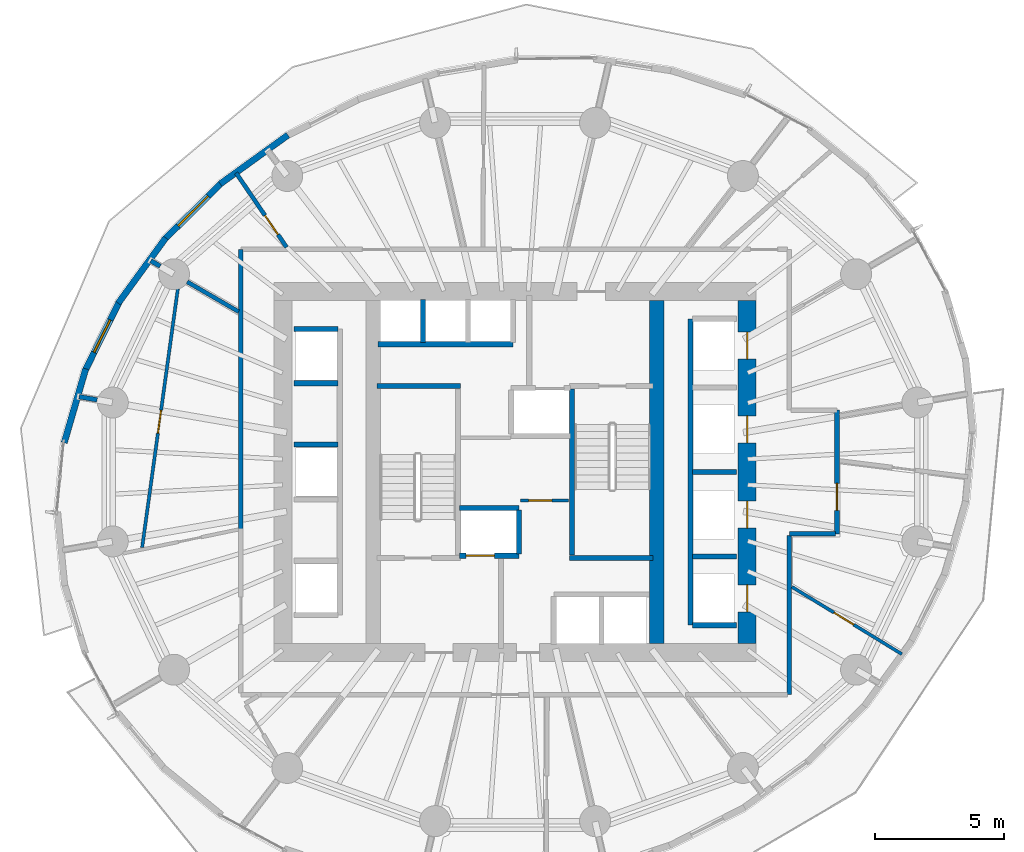
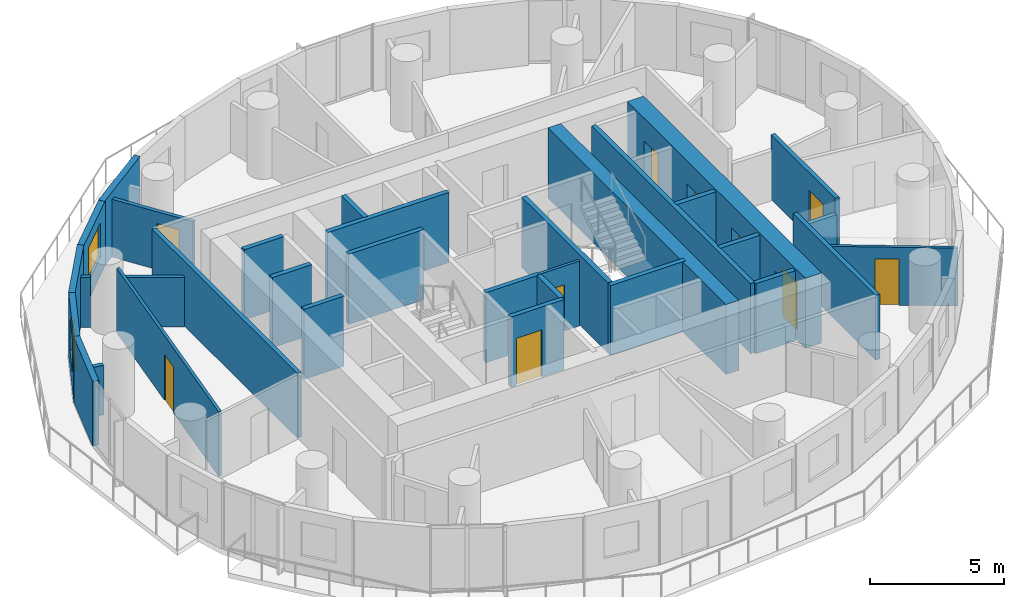
# One storey, part 8 of 14: 33 walls, 10 doors, 2 windows, 12 openings.
"""IFC4 building model written with IfcOpenShell, lengths in metres."""

import ifcopenshell
import ifcopenshell.guid

model = None  # the IFC model being written
_history = None  # IfcOwnerHistory: only IFC2X3 demands one
_inside = {}  # id of a spatial element -> (the spatial element, [elements in it])
_under = {}  # id of a project, library or spatial element -> (it, [spatial elements below it])
_declared = {}  # id of a project -> (the project, [libraries it declares])
_typed = {}  # id of a type object -> (the type object, [elements of that type])
_made_of = {}  # id of a material, layer set ... -> (it, [elements and type objects made of it])


def new_model(schema):
    """Start an empty IFC model of exactly this schema.

    Asked for "IFC4X3", IfcOpenShell would pick the latest addendum, in which some entities
    have other attributes; the version numbers below select the first issue.
    IFC2X3 requires an IfcOwnerHistory on every rooted entity: one is made here for all.
    """
    global model, _history
    if schema == "IFC4X3":
        model = ifcopenshell.file(schema_version=(4, 3, 0, 0))
    else:
        model = ifcopenshell.file(schema=schema)
    _inside.clear()
    _under.clear()
    _declared.clear()
    _typed.clear()
    _made_of.clear()
    _history = None
    if model.schema == "IFC2X3":
        org = make("IfcOrganization", Name="unknown")
        user = make(
            "IfcPersonAndOrganization",
            ThePerson=make("IfcPerson", FamilyName="unknown"),
            TheOrganization=org,
        )
        app = make(
            "IfcApplication",
            ApplicationDeveloper=org,
            Version="unknown",
            ApplicationFullName="unknown",
            ApplicationIdentifier="unknown",
        )
        _history = make(
            "IfcOwnerHistory",
            OwningUser=user,
            OwningApplication=app,
            ChangeAction="ADDED",
            CreationDate=0,
        )
    return model


def make(cls, **values):
    """One entity of the class cls with the attributes given. An attribute that is None is left unset."""
    return model.create_entity(
        cls, **{name: value for name, value in values.items() if value is not None}
    )


def rooted(cls, **values):
    """An entity with a GlobalId (a new one), such as an element, a storey or a relation."""
    return make(cls, GlobalId=ifcopenshell.guid.new(), OwnerHistory=_history, **values)


def si_unit(unit_type, name, prefix=None):
    """IfcSIUnit, for example si_unit("LENGTHUNIT", "METRE", prefix="MILLI")."""
    return make("IfcSIUnit", UnitType=unit_type, Prefix=prefix, Name=name)


def assignment(units):
    """IfcUnitAssignment: the units of a project."""
    return None if units is None else make("IfcUnitAssignment", Units=units)


def point(xyz):
    """IfcCartesianPoint."""
    return None if xyz is None else make("IfcCartesianPoint", Coordinates=xyz)


def direction(xyz):
    """IfcDirection."""
    return None if xyz is None else make("IfcDirection", DirectionRatios=xyz)


def frame(location, z_axis=None, x_axis=None):
    """IfcAxis2Placement3D, a coordinate frame: its origin and axes. An axis left out is left unset."""
    return make(
        "IfcAxis2Placement3D",
        Location=point(location),
        Axis=direction(z_axis),
        RefDirection=direction(x_axis),
    )


def frame_2d(location, x_axis=None):
    """IfcAxis2Placement2D, a coordinate frame in the plane: its origin and x axis."""
    return make(
        "IfcAxis2Placement2D", Location=point(location), RefDirection=direction(x_axis)
    )


def origin():
    """The frame at (0, 0, 0) with its axes left unset."""
    return frame((0.0, 0.0, 0.0))


def place(relative_to, where):
    """IfcLocalPlacement: puts the frame where relative to a parent placement (None: the world)."""
    return make(
        "IfcLocalPlacement", PlacementRelTo=relative_to, RelativePlacement=where
    )


def context(
    kind, dimensions, precision=None, world=None, true_north=None, identifier=None
):
    """IfcGeometricRepresentationContext, for example the 3D "Model" context."""
    return make(
        "IfcGeometricRepresentationContext",
        ContextIdentifier=identifier,
        ContextType=kind,
        CoordinateSpaceDimension=dimensions,
        Precision=precision,
        WorldCoordinateSystem=world,
        TrueNorth=true_north,
    )


def subcontext(parent, identifier, kind, view, scale=None):
    """IfcGeometricRepresentationSubContext, for example "Body" below "Model"."""
    return make(
        "IfcGeometricRepresentationSubContext",
        ContextIdentifier=identifier,
        ContextType=kind,
        ParentContext=parent,
        TargetScale=scale,
        TargetView=view,
    )


def project(units=None, contexts=None):
    """IfcProject with its units and contexts."""
    return rooted(
        "IfcProject",
        Name="project",
        RepresentationContexts=contexts,
        UnitsInContext=assignment(units),
    )


def spatial(cls, under=None, at=None, **own):
    """A site, building, storey or space (cls), placed at a placement, below another one or the project."""
    s = rooted(cls, ObjectPlacement=at, **own)
    if under is not None:
        _under.setdefault(under.id(), (under, []))[1].append(s)
    return s


def profile(cls, at=None, kind="AREA", **sizes):
    """A parametric profile (cls). Its sizes go by their IFC names, for example OverallWidth=200.0."""
    return make(cls, ProfileType=kind, Position=at, **sizes)


def rectangle(**sizes):
    """IfcRectangleProfileDef."""
    return profile("IfcRectangleProfileDef", **sizes)


def extrude(swept, where, along, depth):
    """IfcExtrudedAreaSolid: the profile swept, set in the frame where, extruded along a direction by depth."""
    return make(
        "IfcExtrudedAreaSolid",
        SweptArea=swept,
        Position=where,
        ExtrudedDirection=direction(along),
        Depth=depth,
    )


def shape(context_of_items, identifier, shape_type, items):
    """IfcShapeRepresentation: the items that make up one representation, for example the "Body"."""
    return make(
        "IfcShapeRepresentation",
        ContextOfItems=context_of_items,
        RepresentationIdentifier=identifier,
        RepresentationType=shape_type,
        Items=items,
    )


def material(Name=None, Category=None):
    """IfcMaterial."""
    return make("IfcMaterial", Name=Name, Category=Category)


def layer(
    of_material, thickness, ventilated=None, Name=None, Category=None, Priority=None
):
    """IfcMaterialLayer: one layer of a wall or slab, of a material (None: an air gap)."""
    return make(
        "IfcMaterialLayer",
        Material=of_material,
        LayerThickness=thickness,
        IsVentilated=ventilated,
        Name=Name,
        Category=Category,
        Priority=Priority,
    )


def layer_set(layers, Name=None):
    """IfcMaterialLayerSet."""
    return make("IfcMaterialLayerSet", MaterialLayers=layers, LayerSetName=Name)


def made_of(thing, what):
    """Note that an element or type object is made of a material, layer set ...; save() writes the relation."""
    if what is not None:
        _made_of.setdefault(what.id(), (what, []))[1].append(thing)
    return thing


def type_object(cls, material=None, **own):
    """A type object (cls), such as IfcWallType, which elements share."""
    return made_of(rooted(cls, **own), material)


def element(
    cls,
    number,
    at=None,
    inside=None,
    cuts=None,
    type_object=None,
    material=None,
    context=None,
    identifier="Body",
    shape_type=None,
    held_by="IfcProductDefinitionShape",
    body=None,
    shapes=None,
    **own,
):
    """One element of the class cls, such as IfcWall. Its Tag is "e" and its number.

    at: its placement. inside: the storey or other place that contains it. cuts: it is an
    opening in that element (IfcRelVoidsElement). A single representation is given by context,
    identifier, shape_type and body (its items); several are given by shapes. held_by: the class
    of the entity that holds the representations. save() writes the other relations.
    """
    e = rooted(cls, Tag="e%d" % number, ObjectPlacement=at, **own)
    if body is not None:
        shapes = [shape(context, identifier, shape_type, body)]
    if shapes is not None:
        e.Representation = make(held_by, Representations=shapes)
    if inside is not None:
        _inside.setdefault(inside.id(), (inside, []))[1].append(e)
    if cuts is not None:
        rooted(
            "IfcRelVoidsElement", RelatingBuildingElement=cuts, RelatedOpeningElement=e
        )
    if type_object is not None:
        _typed.setdefault(type_object.id(), (type_object, []))[1].append(e)
    return made_of(e, material)


def fill(opening, filler):
    """IfcRelFillsElement: the door or window that sits in an opening."""
    return rooted(
        "IfcRelFillsElement",
        RelatingOpeningElement=opening,
        RelatedBuildingElement=filler,
    )


def aggregate(whole, parts):
    """IfcRelAggregates: a whole, such as a stair, and the parts it consists of."""
    return rooted("IfcRelAggregates", RelatingObject=whole, RelatedObjects=parts)


def save(model, path):
    """Write the relations noted so far, then the file.

    IfcRelAggregates (storeys below a building ...), IfcRelContainedInSpatialStructure (elements
    in a storey), IfcRelDefinesByType, IfcRelAssociatesMaterial and IfcRelDeclares: one each for
    every whole, place, type object, material and project.
    """
    for whole, parts in _under.values():
        aggregate(whole, parts)
    for where, things in _inside.values():
        rooted(
            "IfcRelContainedInSpatialStructure",
            RelatedElements=things,
            RelatingStructure=where,
        )
    for kind, things in _typed.values():
        rooted("IfcRelDefinesByType", RelatedObjects=things, RelatingType=kind)
    for what, things in _made_of.values():
        rooted("IfcRelAssociatesMaterial", RelatedObjects=things, RelatingMaterial=what)
    for by, libraries in _declared.values():
        rooted("IfcRelDeclares", RelatingContext=by, RelatedDefinitions=libraries)
    model.write(path)


model = new_model("IFC4")

# Units and contexts
model_context = context("Model", 3, precision=1e-05, world=origin(), true_north=direction((0.0, 1.0)))
body_context = subcontext(model_context, "Body", "Model", "MODEL_VIEW")
ifc_project = project(units=[si_unit("LENGTHUNIT", "METRE"), si_unit("AREAUNIT", "SQUARE_METRE"), si_unit("VOLUMEUNIT", "CUBIC_METRE"), si_unit("PLANEANGLEUNIT", "RADIAN"), si_unit("MASSUNIT", "GRAM", prefix="KILO")], contexts=[model_context])

# Site, building, storey
site_placement = place(None, origin())
site = spatial("IfcSite", under=ifc_project, at=site_placement, CompositionType="ELEMENT")
building_placement = place(site_placement, origin())
building = spatial("IfcBuilding", under=site, at=building_placement, Name="Veldorim Arch Residences", CompositionType="ELEMENT")
storey_placement = place(building_placement, frame((0.0, 0.0, 99.679931640625)))
storey = spatial("IfcBuildingStorey", under=building, at=storey_placement, Name="L29", CompositionType="ELEMENT", Elevation=99.679931640625)

# Wall, opening, door
ifc_material_1 = material(Name="Acoustic Gypsum Board", Category="gypsum")
ifc_layer_1 = layer(ifc_material_1, 0.125, Name="Acoustic Stud Room Partition Wall 125")
ifc_layer_set_1 = layer_set([ifc_layer_1], Name="Acoustic Gypsum Board")
wall_type_1 = type_object("IfcWallType", Name="Acoustic Stud Room Partition Wall 125", PredefinedType="PARTITIONING", material=ifc_layer_set_1)
wall_1_placement = place(storey_placement, frame((32.219970703125, 22.89990234375, 0.0), z_axis=(0.0, 0.0, 1.0), x_axis=(1.0, 0.0, 0.0)))
wall_1 = element("IfcWall", 1, at=wall_1_placement, inside=storey, type_object=wall_type_1, Name="L29 interior wall WL-CA-L29-2", PredefinedType="PARTITIONING", context=body_context, shape_type="SweptSolid", body=[
    extrude(rectangle(XDim=1.860107421875, YDim=0.125, at=frame_2d((0.93017578125, 0.0))), origin(), (0.0, 0.0, 1.0), 2.955078125),
])
opening_1_placement = place(wall_1_placement, frame((0.31005859375, 0.0, 0.0)))
opening_1 = element("IfcOpeningElement", 2, at=opening_1_placement, cuts=wall_1, Name="Opening DR-SVC", PredefinedType="OPENING", context=body_context, shape_type="SweptSolid", body=[
    extrude(rectangle(XDim=0.89990234375, YDim=2.10009765625, at=frame_2d((0.449951171875, 1.050048828125))), frame((0.0, 0.072509765625, 0.0), z_axis=(0.0, -1.0, 0.0), x_axis=(1.0, 0.0, 0.0)), (0.0, 0.0, 1.0), 0.14501953125),
])
ifc_material_2 = material(Name="Fire-Rated Steel", Category="steel")
door_type_1 = type_object("IfcDoorType", Name="Riser, Shelter & Plant Room Rated Steel Door 900x2100", OperationType="SINGLE_SWING_LEFT", PredefinedType="DOOR", material=ifc_material_2)
door_1_placement = place(opening_1_placement, origin())
door_1 = element("IfcDoor", 3, at=door_1_placement, inside=storey, type_object=door_type_1, Name="L29 interior door DR-L29-CA1", OperationType="SINGLE_SWING_RIGHT", OverallHeight=2.10009765625, OverallWidth=0.89990234375, PredefinedType="DOOR", context=body_context, shape_type="SweptSolid", body=[
    extrude(rectangle(XDim=0.89990234375, YDim=2.10009765625, at=frame_2d((0.449951171875, 1.050048828125))), frame((0.0, 0.02490234375, 0.0), z_axis=(0.0, -1.0, 0.0), x_axis=(1.0, 0.0, 0.0)), (0.0, 0.0, 1.0), 0.050048828125),
])
fill(opening_1, door_1)

wall_2_placement = place(storey_placement, frame((46.994873046875, 16.9404296875, 0.0), z_axis=(0.0, 0.0, 1.0), x_axis=(-0.85322505129, 0.521542914678, 0.0)))
wall_2 = element("IfcWall", 4, at=wall_2_placement, inside=storey, type_object=wall_type_1, Name="L29 interior wall WL-RES-L29-018", PredefinedType="PARTITIONING", context=body_context, shape_type="SweptSolid", body=[
    extrude(rectangle(XDim=4.99560546875, YDim=0.125, at=frame_2d((2.497802734375, 0.0))), origin(), (0.0, 0.0, 1.0), 2.641357421875),
])
opening_2_placement = place(wall_2_placement, frame((2.187744140625, 0.0, 0.0)))
opening_2 = element("IfcOpeningElement", 5, at=opening_2_placement, cuts=wall_2, Name="Opening DR-INT", PredefinedType="OPENING", context=body_context, shape_type="SweptSolid", body=[
    extrude(rectangle(XDim=0.89990234375, YDim=2.10009765625, at=frame_2d((0.449951171875, 1.050048828125))), frame((0.0, 0.072509765625, 0.0), z_axis=(0.0, -1.0, 0.0), x_axis=(1.0, 0.0, 0.0)), (0.0, 0.0, 1.0), 0.14501953125),
])
ifc_material_3 = material(Name="Engineered Timber", Category="wood")
door_type_2 = type_object("IfcDoorType", Name="Apartment Internal Room Timber Door 900x2100", OperationType="SINGLE_SWING_LEFT", PredefinedType="DOOR", material=ifc_material_3)
door_2_placement = place(opening_2_placement, origin())
door_2 = element("IfcDoor", 6, at=door_2_placement, inside=storey, type_object=door_type_2, Name="L29 interior door DR-RES-L29-006", OperationType="SINGLE_SWING_RIGHT", OverallHeight=2.10009765625, OverallWidth=0.89990234375, PredefinedType="DOOR", context=body_context, shape_type="SweptSolid", body=[
    extrude(rectangle(XDim=0.89990234375, YDim=2.10009765625, at=frame_2d((0.449951171875, 1.050048828125))), frame((0.0, 0.02490234375, 0.0), z_axis=(0.0, -1.0, 0.0), x_axis=(1.0, 0.0, 0.0)), (0.0, 0.0, 1.0), 0.050048828125),
])
fill(opening_2, door_2)

wall_3_placement = place(storey_placement, frame((17.542236328125, 21.072509765625, 0.0), z_axis=(0.0, 0.0, 1.0), x_axis=(0.136714950607, 0.99061042912, 0.0)))
wall_3 = element("IfcWall", 7, at=wall_3_placement, inside=storey, type_object=wall_type_1, Name="L29 interior wall WL-RES-L29-032", PredefinedType="PARTITIONING", context=body_context, shape_type="SweptSolid", body=[
    extrude(rectangle(XDim=10.119873046875, YDim=0.125, at=frame_2d((5.06005859375, 0.0))), origin(), (0.0, 0.0, 1.0), 2.955078125),
])
opening_3_placement = place(wall_3_placement, frame((4.469970703125, 0.0, 0.0)))
opening_3 = element("IfcOpeningElement", 8, at=opening_3_placement, cuts=wall_3, Name="Opening DR-INT", PredefinedType="OPENING", context=body_context, shape_type="SweptSolid", body=[
    extrude(rectangle(XDim=0.89990234375, YDim=2.10009765625, at=frame_2d((0.449951171875, 1.050048828125))), frame((0.0, 0.072509765625, 0.0), z_axis=(0.0, -1.0, 0.0), x_axis=(1.0, 0.0, 0.0)), (0.0, 0.0, 1.0), 0.14501953125),
])
door_3_placement = place(opening_3_placement, origin())
door_3 = element("IfcDoor", 9, at=door_3_placement, inside=storey, type_object=door_type_2, Name="L29 interior door DR-RES-L29-019", OperationType="SINGLE_SWING_LEFT", OverallHeight=2.10009765625, OverallWidth=0.89990234375, PredefinedType="DOOR", context=body_context, shape_type="SweptSolid", body=[
    extrude(rectangle(XDim=0.89990234375, YDim=2.10009765625, at=frame_2d((0.449951171875, 1.050048828125))), frame((0.0, 0.02490234375, 0.0), z_axis=(0.0, -1.0, 0.0), x_axis=(1.0, 0.0, 0.0)), (0.0, 0.0, 1.0), 0.050048828125),
])
fill(opening_3, door_3)

# Walls
ifc_material_4 = material(Name="Lightweight Masonry Block & Gypsum", Category="masonry")
ifc_layer_2 = layer(ifc_material_4, 0.179931640625, Name="Compartment & Corridor Fire-Rated Party Wall 180")
ifc_layer_set_2 = layer_set([ifc_layer_2], Name="Lightweight Masonry Block & Gypsum")
wall_type_2 = type_object("IfcWallType", Name="Compartment & Corridor Fire-Rated Party Wall 180", PredefinedType="PARTITIONING", material=ifc_layer_set_2)
wall_4_placement = place(storey_placement, frame((18.243408203125, 31.977783203125, 0.0), z_axis=(0.0, 0.0, 1.0), x_axis=(-0.864926134071, 0.501899175733, 0.0)))
element("IfcWall", 10, at=wall_4_placement, inside=storey, type_object=wall_type_2, Name="L29 interior wall WL-PIER-L29-07", PredefinedType="PARTITIONING", context=body_context, shape_type="SweptSolid", body=[
    extrude(rectangle(XDim=0.423583984375, YDim=0.179931640625, at=frame_2d((0.2119140625, 0.0))), origin(), (0.0, 0.0, 1.0), 2.2607421875),
])
wall_5_placement = place(storey_placement, frame((15.79443359375, 26.797607421875, 0.0), z_axis=(0.0, 0.0, 1.0), x_axis=(-0.985420399327, 0.17013711115, 0.0)))
element("IfcWall", 11, at=wall_5_placement, inside=storey, type_object=wall_type_2, Name="L29 interior wall WL-PIER-L29-08", PredefinedType="PARTITIONING", context=body_context, shape_type="SweptSolid", body=[
    extrude(rectangle(XDim=0.710205078125, YDim=0.179931640625, at=frame_2d((0.35498046875, 0.0))), origin(), (0.0, 0.0, 1.0), 2.2607421875),
])

# Wall, opening, door
wall_6_placement = place(storey_placement, frame((44.47998046875, 26.39990234375, 0.0), z_axis=(0.0, 0.0, 1.0), x_axis=(0.0, -1.0, 0.0)))
wall_6 = element("IfcWall", 12, at=wall_6_placement, inside=storey, type_object=wall_type_2, Name="L29 interior wall WL-RES-L29-002", PredefinedType="PARTITIONING", context=body_context, shape_type="SweptSolid", body=[
    extrude(rectangle(XDim=4.7998046875, YDim=0.179931640625, at=frame_2d((2.39990234375, 0.0))), origin(), (0.0, 0.0, 1.0), 2.955078125),
])
opening_4_placement = place(wall_6_placement, frame((2.839599609375, 0.0, 0.0)))
opening_4 = element("IfcOpeningElement", 13, at=opening_4_placement, cuts=wall_6, Name="Opening DR-FLT", PredefinedType="OPENING", context=body_context, shape_type="SweptSolid", body=[
    extrude(rectangle(XDim=1.050048828125, YDim=2.14990234375, at=frame_2d((0.52490234375, 1.074951171875))), frame((0.0, 0.099853515625, 0.0), z_axis=(0.0, -1.0, 0.0), x_axis=(1.0, 0.0, 0.0)), (0.0, 0.0, 1.0), 0.199951171875),
])
ifc_material_5 = material(Name="Fire-Rated Timber", Category="wood")
door_type_3 = type_object("IfcDoorType", Name="Apartment Entrance Solid-Core Fire Door 1050x2150", OperationType="SINGLE_SWING_LEFT", PredefinedType="DOOR", material=ifc_material_5)
door_4_placement = place(opening_4_placement, origin())
door_4 = element("IfcDoor", 14, at=door_4_placement, inside=storey, type_object=door_type_3, Name="L29 interior door DR-RES-L29-004", OperationType="SINGLE_SWING_RIGHT", OverallHeight=2.14990234375, OverallWidth=1.050048828125, PredefinedType="DOOR", context=body_context, shape_type="SweptSolid", body=[
    extrude(rectangle(XDim=1.050048828125, YDim=2.14990234375, at=frame_2d((0.52490234375, 1.074951171875))), frame((0.0, 0.02490234375, 0.0), z_axis=(0.0, -1.0, 0.0), x_axis=(1.0, 0.0, 0.0)), (0.0, 0.0, 1.0), 0.050048828125),
])
fill(opening_4, door_4)

# Walls
wall_7_placement = place(storey_placement, frame((44.419921875, 21.60009765625, 0.0), z_axis=(0.0, 0.0, 1.0), x_axis=(-1.0, 0.0, 0.0)))
element("IfcWall", 15, at=wall_7_placement, inside=storey, type_object=wall_type_2, Name="L29 interior wall WL-RES-L29-003", PredefinedType="PARTITIONING", context=body_context, shape_type="SweptSolid", body=[
    extrude(rectangle(XDim=1.7900390625, YDim=0.179931640625, at=frame_2d((0.89501953125, 0.0))), origin(), (0.0, 0.0, 1.0), 2.2607421875),
])
wall_8_placement = place(storey_placement, frame((42.6298828125, 21.5400390625, 0.0), z_axis=(0.0, 0.0, 1.0), x_axis=(0.0, -1.0, 0.0)))
element("IfcWall", 16, at=wall_8_placement, inside=storey, type_object=wall_type_2, Name="L29 interior wall WL-RES-L29-004", PredefinedType="PARTITIONING", context=body_context, shape_type="SweptSolid", body=[
    extrude(rectangle(XDim=6.169921875, YDim=0.179931640625, at=frame_2d((3.0849609375, 0.0))), origin(), (0.0, 0.0, 1.0), 2.955078125),
])
wall_9_placement = place(storey_placement, frame((21.3701171875, 21.770751953125, 0.0), z_axis=(0.0, 0.0, 1.0), x_axis=(0.0, 1.0, 0.0)))
element("IfcWall", 17, at=wall_9_placement, inside=storey, type_object=wall_type_2, Name="L29 interior wall WL-RES-L29-010", PredefinedType="PARTITIONING", context=body_context, shape_type="SweptSolid", body=[
    extrude(rectangle(XDim=10.859130859375, YDim=0.179931640625, at=frame_2d((5.4296875, 0.0))), origin(), (0.0, 0.0, 1.0), 2.955078125),
])
ifc_material_6 = material(Name="Concrete C50/60", Category="concrete")
ifc_layer_3 = layer(ifc_material_6, 0.199951171875, Name="Core Stair & Lift Shaft Enclosure Wall 200")
ifc_layer_set_3 = layer_set([ifc_layer_3], Name="Concrete C50/60")
wall_type_3 = type_object("IfcWallType", Name="Core Stair & Lift Shaft Enclosure Wall 200", PredefinedType="SHEAR", material=ifc_layer_set_3)
wall_10_placement = place(storey_placement, frame((26.64990234375, 27.330078125, 0.0), z_axis=(0.0, 0.0, 1.0), x_axis=(1.0, 0.0, 0.0)))
element("IfcWall", 18, at=wall_10_placement, inside=storey, type_object=wall_type_3, Name="L29 shaft wall WL-SHF-L29-ST1-N", PredefinedType="SHEAR", context=body_context, shape_type="SweptSolid", body=[
    extrude(rectangle(XDim=3.239990234375, YDim=0.199951171875, at=frame_2d((1.6201171875, 0.0))), origin(), (0.0, 0.0, 1.0), 3.199951171875),
])
wall_11_placement = place(storey_placement, frame((34.2099609375, 20.780029296875, 0.0), z_axis=(0.0, 0.0, 1.0), x_axis=(0.0, 1.0, 0.0)))
element("IfcWall", 19, at=wall_11_placement, inside=storey, type_object=wall_type_3, Name="L29 shaft wall WL-SHF-L29-ST2-W", PredefinedType="SHEAR", context=body_context, shape_type="SweptSolid", body=[
    extrude(rectangle(XDim=6.43994140625, YDim=0.199951171875, at=frame_2d((3.219970703125, 0.0))), origin(), (0.0, 0.0, 1.0), 3.199951171875),
])
wall_12_placement = place(storey_placement, frame((34.110107421875, 20.669921875, 0.0), z_axis=(0.0, 0.0, 1.0), x_axis=(1.0, 0.0, 0.0)))
element("IfcWall", 20, at=wall_12_placement, inside=storey, type_object=wall_type_3, Name="L29 shaft wall WL-SHF-L29-ST2-S", PredefinedType="SHEAR", context=body_context, shape_type="SweptSolid", body=[
    extrude(rectangle(XDim=3.239990234375, YDim=0.199951171875, at=frame_2d((1.6201171875, 0.0))), origin(), (0.0, 0.0, 1.0), 3.199951171875),
])

# Wall, opening, door
wall_13_placement = place(storey_placement, frame((29.85009765625, 20.75, 0.0), z_axis=(0.0, 0.0, 1.0), x_axis=(1.0, 0.0, 0.0)))
wall_13 = element("IfcWall", 21, at=wall_13_placement, inside=storey, type_object=wall_type_3, Name="L29 shaft wall WL-FL01-L29-S", PredefinedType="SHEAR", context=body_context, shape_type="SweptSolid", body=[
    extrude(rectangle(XDim=2.2998046875, YDim=0.199951171875, at=frame_2d((1.14990234375, 0.0))), origin(), (0.0, 0.0, 1.0), 3.199951171875),
])
opening_5_placement = place(wall_13_placement, frame((0.25, 0.0, 0.0)))
opening_5 = element("IfcOpeningElement", 22, at=opening_5_placement, cuts=wall_13, Name="Opening LD-FF", PredefinedType="OPENING", context=body_context, shape_type="SweptSolid", body=[
    extrude(rectangle(XDim=1.10009765625, YDim=2.14990234375, at=frame_2d((0.550048828125, 1.074951171875))), frame((0.0, 0.10986328125, 0.0), z_axis=(0.0, -1.0, 0.0), x_axis=(1.0, 0.0, 0.0)), (0.0, 0.0, 1.0), 0.219970703125),
])
ifc_material_7 = material(Name="Stainless Steel", Category="steel")
door_type_4 = type_object("IfcDoorType", Name="Firefighting Lift Bi-Parting Sliding Landing Door 1100x2150", OperationType="DOUBLE_DOOR_SLIDING", PredefinedType="DOOR", material=ifc_material_7)
door_5_placement = place(opening_5_placement, origin())
door_5 = element("IfcDoor", 23, at=door_5_placement, inside=storey, type_object=door_type_4, Name="L29 lift landing door LD-L29-FL01", OperationType="DOUBLE_DOOR_SLIDING", OverallHeight=2.14990234375, OverallWidth=1.10009765625, PredefinedType="DOOR", context=body_context, shape_type="SweptSolid", body=[
    extrude(rectangle(XDim=1.10009765625, YDim=2.14990234375, at=frame_2d((0.550048828125, 1.074951171875))), frame((0.0, 0.02490234375, 0.0), z_axis=(0.0, -1.0, 0.0), x_axis=(1.0, 0.0, 0.0)), (0.0, 0.0, 1.0), 0.050048828125),
])
fill(opening_5, door_5)

# Walls
wall_14_placement = place(storey_placement, frame((29.85009765625, 22.60009765625, 0.0), z_axis=(0.0, 0.0, 1.0), x_axis=(1.0, 0.0, 0.0)))
element("IfcWall", 24, at=wall_14_placement, inside=storey, type_object=wall_type_3, Name="L29 shaft wall WL-FL01-L29-N", PredefinedType="SHEAR", context=body_context, shape_type="SweptSolid", body=[
    extrude(rectangle(XDim=2.2998046875, YDim=0.199951171875, at=frame_2d((1.14990234375, 0.0))), origin(), (0.0, 0.0, 1.0), 3.199951171875),
])
wall_15_placement = place(storey_placement, frame((32.14990234375, 20.820068359375, 0.0), z_axis=(0.0, 0.0, 1.0), x_axis=(0.0, 1.0, 0.0)))
element("IfcWall", 25, at=wall_15_placement, inside=storey, type_object=wall_type_3, Name="L29 shaft wall WL-FL01-L29-E", PredefinedType="SHEAR", context=body_context, shape_type="SweptSolid", body=[
    extrude(rectangle(XDim=1.7099609375, YDim=0.199951171875, at=frame_2d((0.85498046875, 0.0))), origin(), (0.0, 0.0, 1.0), 3.199951171875),
])
wall_16_placement = place(storey_placement, frame((38.800048828125, 18.06005859375, 0.0), z_axis=(0.0, 0.0, 1.0), x_axis=(0.0, 1.0, 0.0)))
element("IfcWall", 26, at=wall_16_placement, inside=storey, type_object=wall_type_3, Name="L29 shaft wall WL-B1-L29-W", PredefinedType="SHEAR", context=body_context, shape_type="SweptSolid", body=[
    extrude(rectangle(XDim=11.8798828125, YDim=0.199951171875, at=frame_2d((5.93994140625, 0.0))), origin(), (0.0, 0.0, 1.0), 3.199951171875),
])
for number, where, z_axis, x_axis, name in (
    (27, (38.8701171875, 18.06005859375, 0.0), (0.0, 0.0, 1.0), (1.0, 0.0, 0.0), "L29 shaft wall WL-B1-L29-S"),
    (28, (38.8701171875, 20.72509765625, 0.0), (0.0, 0.0, 1.0), (1.0, 0.0, 0.0), "L29 shaft wall WL-B1-L29-D1"),
    (29, (38.8701171875, 24.0, 0.0), (0.0, 0.0, 1.0), (1.0, 0.0, 0.0), "L29 shaft wall WL-B1-L29-D2"),
    (30, (23.419921875, 29.5400390625, 0.0), (0.0, 0.0, 1.0), (1.0, 0.0, 0.0), "L29 shaft wall WL-B2-L29-N"),
    (31, (23.419921875, 25.06005859375, 0.0), (0.0, 0.0, 1.0), (1.0, 0.0, 0.0), "L29 shaft wall WL-B2-L29-D2A"),
    (32, (23.419921875, 27.43994140625, 0.0), (0.0, 0.0, 1.0), (1.0, 0.0, 0.0), "L29 shaft wall WL-B2-L29-D2B"),
):
    element("IfcWall", number, at=place(storey_placement, frame(where, z_axis=z_axis, x_axis=x_axis)), inside=storey, type_object=wall_type_3, Name=name, PredefinedType="SHEAR", context=body_context, shape_type="SweptSolid", body=[
        extrude(rectangle(XDim=1.7099609375, YDim=0.199951171875, at=frame_2d((0.85498046875, 0.0))), origin(), (0.0, 0.0, 1.0), 3.199951171875),
    ])
wall_17_placement = place(storey_placement, frame((26.679931640625, 28.949951171875, 0.0), z_axis=(0.0, 0.0, 1.0), x_axis=(1.0, 0.0, 0.0)))
element("IfcWall", 33, at=wall_17_placement, inside=storey, type_object=wall_type_3, Name="L29 shaft wall WL-B3-L29-S", PredefinedType="SHEAR", context=body_context, shape_type="SweptSolid", body=[
    extrude(rectangle(XDim=5.239990234375, YDim=0.199951171875, at=frame_2d((2.6201171875, 0.0))), origin(), (0.0, 0.0, 1.0), 3.199951171875),
])
wall_18_placement = place(storey_placement, frame((28.425048828125, 29.02001953125, 0.0), z_axis=(0.0, 0.0, 1.0), x_axis=(0.0, 1.0, 0.0)))
element("IfcWall", 34, at=wall_18_placement, inside=storey, type_object=wall_type_3, Name="L29 shaft wall WL-B3-L29-D1", PredefinedType="SHEAR", context=body_context, shape_type="SweptSolid", body=[
    extrude(rectangle(XDim=1.659912109375, YDim=0.199951171875, at=frame_2d((0.830078125, 0.0))), origin(), (0.0, 0.0, 1.0), 3.199951171875),
])
ifc_material_8 = material(Name="Concrete C60/75", Category="concrete")
ifc_layer_4 = layer(ifc_material_8, 0.56005859375, Name="Internal Core Shear Web Wall 560")
ifc_layer_set_4 = layer_set([ifc_layer_4], Name="Concrete C60/75")
wall_type_4 = type_object("IfcWallType", Name="Internal Core Shear Web Wall 560", PredefinedType="SHEAR", material=ifc_layer_set_4)
wall_19_placement = place(storey_placement, frame((37.5, 17.35009765625, 0.0), z_axis=(0.0, 0.0, 1.0), x_axis=(0.0, 1.0, 0.0)))
element("IfcWall", 35, at=wall_19_placement, inside=storey, type_object=wall_type_4, Name="L29 core east internal shear web", PredefinedType="SHEAR", context=body_context, shape_type="SweptSolid", body=[
    extrude(rectangle(XDim=13.2998046875, YDim=0.56005859375, at=frame_2d((6.64990234375, 0.0))), origin(), (0.0, 0.0, 1.0), 3.199951171875),
])

# Wall, openings, doors
ifc_material_9 = material(Name="Concrete C60/75", Category="concrete")
ifc_layer_5 = layer(ifc_material_9, 0.699951171875, Name="Mid-Lower Central Core Shear Wall 700")
ifc_layer_set_5 = layer_set([ifc_layer_5], Name="Concrete C60/75")
wall_type_5 = type_object("IfcWallType", Name="Mid-Lower Central Core Shear Wall 700", PredefinedType="SHEAR", material=ifc_layer_set_5)
wall_20_placement = place(storey_placement, frame((41.0, 17.35009765625, 0.0), z_axis=(0.0, 0.0, 1.0), x_axis=(0.0, 1.0, 0.0)))
wall_20 = element("IfcWall", 36, at=wall_20_placement, inside=storey, type_object=wall_type_5, Name="L29 central core east shear wall", PredefinedType="SHEAR", context=body_context, shape_type="SweptSolid", body=[
    extrude(rectangle(XDim=13.2998046875, YDim=0.699951171875, at=frame_2d((6.64990234375, 0.0))), origin(), (0.0, 0.0, 1.0), 3.199951171875),
])
opening_6_placement = place(wall_20_placement, frame((1.22509765625, 0.0, 0.0)))
opening_6 = element("IfcOpeningElement", 37, at=opening_6_placement, cuts=wall_20, Name="Opening LD-PS", PredefinedType="OPENING", context=body_context, shape_type="SweptSolid", body=[
    extrude(rectangle(XDim=1.050048828125, YDim=2.14990234375, at=frame_2d((0.52490234375, 1.074951171875))), frame((0.0, 0.35986328125, 0.0), z_axis=(0.0, -1.0, 0.0), x_axis=(1.0, 0.0, 0.0)), (0.0, 0.0, 1.0), 0.719970703125),
])
opening_7_placement = place(wall_20_placement, frame((4.47509765625, 0.0, 0.0)))
opening_7 = element("IfcOpeningElement", 38, at=opening_7_placement, cuts=wall_20, Name="Opening LD-PS", PredefinedType="OPENING", context=body_context, shape_type="SweptSolid", body=[
    extrude(rectangle(XDim=1.050048828125, YDim=2.14990234375, at=frame_2d((0.52490234375, 1.074951171875))), frame((0.0, 0.35986328125, 0.0), z_axis=(0.0, -1.0, 0.0), x_axis=(1.0, 0.0, 0.0)), (0.0, 0.0, 1.0), 0.719970703125),
])
opening_8_placement = place(wall_20_placement, frame((7.77490234375, 0.0, 0.0)))
opening_8 = element("IfcOpeningElement", 39, at=opening_8_placement, cuts=wall_20, Name="Opening LD-PS", PredefinedType="OPENING", context=body_context, shape_type="SweptSolid", body=[
    extrude(rectangle(XDim=1.050048828125, YDim=2.14990234375, at=frame_2d((0.52490234375, 1.074951171875))), frame((0.0, 0.35986328125, 0.0), z_axis=(0.0, -1.0, 0.0), x_axis=(1.0, 0.0, 0.0)), (0.0, 0.0, 1.0), 0.719970703125),
])
opening_9_placement = place(wall_20_placement, frame((11.02490234375, 0.0, 0.0)))
opening_9 = element("IfcOpeningElement", 40, at=opening_9_placement, cuts=wall_20, Name="Opening LD-PS", PredefinedType="OPENING", context=body_context, shape_type="SweptSolid", body=[
    extrude(rectangle(XDim=1.050048828125, YDim=2.14990234375, at=frame_2d((0.52490234375, 1.074951171875))), frame((0.0, 0.35986328125, 0.0), z_axis=(0.0, -1.0, 0.0), x_axis=(1.0, 0.0, 0.0)), (0.0, 0.0, 1.0), 0.719970703125),
])
ifc_material_10 = material(Name="Stainless Steel", Category="steel")
door_type_5 = type_object("IfcDoorType", Name="Passenger Lift Bi-Parting Sliding Landing Door 1050x2150", OperationType="DOUBLE_DOOR_SLIDING", PredefinedType="DOOR", material=ifc_material_10)
door_6_placement = place(opening_6_placement, origin())
door_6 = element("IfcDoor", 41, at=door_6_placement, inside=storey, type_object=door_type_5, Name="L29 lift landing door LD-L29-PL-01", OperationType="DOUBLE_DOOR_SLIDING", OverallHeight=2.14990234375, OverallWidth=1.050048828125, PredefinedType="DOOR", context=body_context, shape_type="SweptSolid", body=[
    extrude(rectangle(XDim=1.050048828125, YDim=2.14990234375, at=frame_2d((0.52490234375, 1.074951171875))), frame((0.0, 0.02490234375, 0.0), z_axis=(0.0, -1.0, 0.0), x_axis=(1.0, 0.0, 0.0)), (0.0, 0.0, 1.0), 0.050048828125),
])
fill(opening_6, door_6)
door_7_placement = place(opening_7_placement, origin())
door_7 = element("IfcDoor", 42, at=door_7_placement, inside=storey, type_object=door_type_5, Name="L29 lift landing door LD-L29-PL-02", OperationType="DOUBLE_DOOR_SLIDING", OverallHeight=2.14990234375, OverallWidth=1.050048828125, PredefinedType="DOOR", context=body_context, shape_type="SweptSolid", body=[
    extrude(rectangle(XDim=1.050048828125, YDim=2.14990234375, at=frame_2d((0.52490234375, 1.074951171875))), frame((0.0, 0.02490234375, 0.0), z_axis=(0.0, -1.0, 0.0), x_axis=(1.0, 0.0, 0.0)), (0.0, 0.0, 1.0), 0.050048828125),
])
fill(opening_7, door_7)
door_8_placement = place(opening_8_placement, origin())
door_8 = element("IfcDoor", 43, at=door_8_placement, inside=storey, type_object=door_type_5, Name="L29 lift landing door LD-L29-PL-03", OperationType="DOUBLE_DOOR_SLIDING", OverallHeight=2.14990234375, OverallWidth=1.050048828125, PredefinedType="DOOR", context=body_context, shape_type="SweptSolid", body=[
    extrude(rectangle(XDim=1.050048828125, YDim=2.14990234375, at=frame_2d((0.52490234375, 1.074951171875))), frame((0.0, 0.02490234375, 0.0), z_axis=(0.0, -1.0, 0.0), x_axis=(1.0, 0.0, 0.0)), (0.0, 0.0, 1.0), 0.050048828125),
])
fill(opening_8, door_8)
door_9_placement = place(opening_9_placement, origin())
door_9 = element("IfcDoor", 44, at=door_9_placement, inside=storey, type_object=door_type_5, Name="L29 lift landing door LD-L29-PL-04", OperationType="DOUBLE_DOOR_SLIDING", OverallHeight=2.14990234375, OverallWidth=1.050048828125, PredefinedType="DOOR", context=body_context, shape_type="SweptSolid", body=[
    extrude(rectangle(XDim=1.050048828125, YDim=2.14990234375, at=frame_2d((0.52490234375, 1.074951171875))), frame((0.0, 0.02490234375, 0.0), z_axis=(0.0, -1.0, 0.0), x_axis=(1.0, 0.0, 0.0)), (0.0, 0.0, 1.0), 0.050048828125),
])
fill(opening_9, door_9)

# Wall
ifc_material_11 = material(Name="Precast concrete C40/50", Category="concrete")
ifc_layer_6 = layer(ifc_material_11, 0.25, Name="Tower Terracotta Spandrel & Pier Wall 250")
ifc_layer_set_6 = layer_set([ifc_layer_6], Name="Precast concrete C40/50")
wall_type_6 = type_object("IfcWallType", Name="Tower Terracotta Spandrel & Pier Wall 250", PredefinedType="SOLIDWALL", material=ifc_layer_set_6)
wall_21_placement = place(storey_placement, frame((20.568359375, 35.171142578125, 0.0), z_axis=(0.0, 0.0, 1.0), x_axis=(0.81131534838, 0.584608762749, 0.0)))
element("IfcWall", 45, at=wall_21_placement, inside=storey, type_object=wall_type_6, Name="L29 terracotta facade wall 11", PredefinedType="SOLIDWALL", context=body_context, shape_type="SweptSolid", body=[
    extrude(rectangle(XDim=3.236083984375, YDim=0.25, at=frame_2d((1.6181640625, 0.0))), origin(), (0.0, 0.0, 1.0), 2.9599609375),
])

# Wall, opening, window
wall_22_placement = place(storey_placement, frame((18.3837890625, 32.995849609375, 0.0), z_axis=(0.0, 0.0, 1.0), x_axis=(0.710540573889, 0.703656232017, 0.0)))
wall_22 = element("IfcWall", 46, at=wall_22_placement, inside=storey, type_object=wall_type_6, Name="L29 terracotta facade wall 12", PredefinedType="SOLIDWALL", context=body_context, shape_type="SweptSolid", body=[
    extrude(rectangle(XDim=3.191650390625, YDim=0.25, at=frame_2d((1.595703125, 0.0))), origin(), (0.0, 0.0, 1.0), 2.9599609375),
])
opening_10_placement = place(wall_22_placement, frame((0.77099609375, 0.0, 0.85009765625)))
opening_10 = element("IfcOpeningElement", 47, at=opening_10_placement, cuts=wall_22, Name="Opening WN-03", PredefinedType="OPENING", context=body_context, shape_type="SweptSolid", body=[
    extrude(rectangle(XDim=1.64990234375, YDim=1.550048828125, at=frame_2d((0.824951171875, 0.77490234375))), frame((0.0, 0.135009765625, 0.0), z_axis=(0.0, -1.0, 0.0), x_axis=(1.0, 0.0, 0.0)), (0.0, 0.0, 1.0), 0.27001953125),
])
ifc_material_12 = material(Name="Laminated Low-E Glass", Category="glass")
window_type_1 = type_object("IfcWindowType", Name="Residential Wide Window 1650x1550", PartitioningType="SINGLE_PANEL", PredefinedType="WINDOW", material=ifc_material_12)
window_1_placement = place(opening_10_placement, origin())
window_1 = element("IfcWindow", 48, at=window_1_placement, inside=storey, type_object=window_type_1, Name="L29 solar-control facade window 12", OverallHeight=1.550048828125, OverallWidth=1.64990234375, PartitioningType="SINGLE_PANEL", PredefinedType="WINDOW", context=body_context, shape_type="SweptSolid", body=[
    extrude(rectangle(XDim=1.64990234375, YDim=1.550048828125, at=frame_2d((0.824951171875, 0.77490234375))), frame((0.0, 0.030029296875, 0.0), z_axis=(0.0, -1.0, 0.0), x_axis=(1.0, 0.0, 0.0)), (0.0, 0.0, 1.0), 0.06005859375),
])
fill(opening_10, window_1)

# Wall
wall_23_placement = place(storey_placement, frame((16.613525390625, 30.546875, 0.0), z_axis=(0.0, 0.0, 1.0), x_axis=(0.588208785685, 0.808709109905, 0.0)))
element("IfcWall", 49, at=wall_23_placement, inside=storey, type_object=wall_type_6, Name="L29 terracotta facade wall 13", PredefinedType="SOLIDWALL", context=body_context, shape_type="SweptSolid", body=[
    extrude(rectangle(XDim=3.131103515625, YDim=0.25, at=frame_2d((1.5654296875, 0.0))), origin(), (0.0, 0.0, 1.0), 2.9599609375),
])

# Wall, opening, window
wall_24_placement = place(storey_placement, frame((15.31201171875, 27.899169921875, 0.0), z_axis=(0.0, 0.0, 1.0), x_axis=(0.443988069997, 0.896032696781, 0.0)))
wall_24 = element("IfcWall", 50, at=wall_24_placement, inside=storey, type_object=wall_type_6, Name="L29 terracotta facade wall 14", PredefinedType="SOLIDWALL", context=body_context, shape_type="SweptSolid", body=[
    extrude(rectangle(XDim=3.060546875, YDim=0.25, at=frame_2d((1.5302734375, 0.0))), origin(), (0.0, 0.0, 1.0), 2.9599609375),
])
opening_11_placement = place(wall_24_placement, frame((0.830078125, 0.0, 0.85009765625)))
opening_11 = element("IfcOpeningElement", 51, at=opening_11_placement, cuts=wall_24, Name="Opening WN-02", PredefinedType="OPENING", context=body_context, shape_type="SweptSolid", body=[
    extrude(rectangle(XDim=1.39990234375, YDim=1.550048828125, at=frame_2d((0.699951171875, 0.77490234375))), frame((0.0, 0.135009765625, 0.0), z_axis=(0.0, -1.0, 0.0), x_axis=(1.0, 0.0, 0.0)), (0.0, 0.0, 1.0), 0.27001953125),
])
ifc_material_13 = material(Name="Laminated Low-E Glass", Category="glass")
window_type_2 = type_object("IfcWindowType", Name="Residential Casement Window 1400x1550", PartitioningType="SINGLE_PANEL", PredefinedType="WINDOW", material=ifc_material_13)
window_2_placement = place(opening_11_placement, origin())
window_2 = element("IfcWindow", 52, at=window_2_placement, inside=storey, type_object=window_type_2, Name="L29 solar-control facade window 14", OverallHeight=1.550048828125, OverallWidth=1.39990234375, PartitioningType="SINGLE_PANEL", PredefinedType="WINDOW", context=body_context, shape_type="SweptSolid", body=[
    extrude(rectangle(XDim=1.39990234375, YDim=1.550048828125, at=frame_2d((0.699951171875, 0.77490234375))), frame((0.0, 0.030029296875, 0.0), z_axis=(0.0, -1.0, 0.0), x_axis=(1.0, 0.0, 0.0)), (0.0, 0.0, 1.0), 0.06005859375),
])
fill(opening_11, window_2)

# Wall
wall_25_placement = place(storey_placement, frame((14.5185546875, 25.133544921875, 0.0), z_axis=(0.0, 0.0, 1.0), x_axis=(0.279152874041, 0.960246672952, 0.0)))
element("IfcWall", 53, at=wall_25_placement, inside=storey, type_object=wall_type_6, Name="L29 terracotta facade wall 15", PredefinedType="SOLIDWALL", context=body_context, shape_type="SweptSolid", body=[
    extrude(rectangle(XDim=2.988525390625, YDim=0.25, at=frame_2d((1.494140625, 0.0))), origin(), (0.0, 0.0, 1.0), 2.9599609375),
])

# Wall, opening, door
ifc_material_14 = material(Name="Moisture-Resistant Gypsum & Stud", Category="gypsum")
ifc_layer_7 = layer(ifc_material_14, 0.159912109375, Name="Wet-Area Moisture-Resistant Plumbing Wall 160")
ifc_layer_set_7 = layer_set([ifc_layer_7], Name="Moisture-Resistant Gypsum & Stud")
wall_type_7 = type_object("IfcWallType", Name="Wet-Area Moisture-Resistant Plumbing Wall 160", PredefinedType="PLUMBINGWALL", material=ifc_layer_set_7)
wall_26_placement = place(storey_placement, frame((23.1416015625, 32.712646484375, 0.0), z_axis=(0.0, 0.0, 1.0), x_axis=(-0.561921019334, 0.827190889717, 0.0)))
wall_26 = element("IfcWall", 54, at=wall_26_placement, inside=storey, type_object=wall_type_7, Name="L29 interior wall WL-RES-L29-027", PredefinedType="PLUMBINGWALL", context=body_context, shape_type="SweptSolid", body=[
    extrude(rectangle(XDim=3.4853515625, YDim=0.159912109375, at=frame_2d((1.74267578125, 0.0))), origin(), (0.0, 0.0, 1.0), 2.641357421875),
])
opening_12_placement = place(wall_26_placement, frame((0.5927734375, 0.0, 0.0)))
opening_12 = element("IfcOpeningElement", 55, at=opening_12_placement, cuts=wall_26, Name="Opening DR-WC", PredefinedType="OPENING", context=body_context, shape_type="SweptSolid", body=[
    extrude(rectangle(XDim=0.89990234375, YDim=2.10009765625, at=frame_2d((0.449951171875, 1.050048828125))), frame((0.0, 0.08984375, 0.0), z_axis=(0.0, -1.0, 0.0), x_axis=(1.0, 0.0, 0.0)), (0.0, 0.0, 1.0), 0.179931640625),
])
ifc_material_15 = material(Name="Laminate Timber", Category="wood")
door_type_6 = type_object("IfcDoorType", Name="Bathroom & Accessible WC Moisture-Sealed Door 900x2100", OperationType="SINGLE_SWING_LEFT", PredefinedType="DOOR", material=ifc_material_15)
door_10_placement = place(opening_12_placement, origin())
door_10 = element("IfcDoor", 56, at=door_10_placement, inside=storey, type_object=door_type_6, Name="L29 interior door DR-RES-L29-015", OperationType="SINGLE_SWING_LEFT", OverallHeight=2.10009765625, OverallWidth=0.89990234375, PredefinedType="DOOR", context=body_context, shape_type="SweptSolid", body=[
    extrude(rectangle(XDim=0.89990234375, YDim=2.10009765625, at=frame_2d((0.449951171875, 1.050048828125))), frame((0.0, 0.02490234375, 0.0), z_axis=(0.0, -1.0, 0.0), x_axis=(1.0, 0.0, 0.0)), (0.0, 0.0, 1.0), 0.050048828125),
])
fill(opening_12, door_10)

# Wall
wall_27_placement = place(storey_placement, frame((21.283447265625, 30.21484375, 0.0), z_axis=(0.0, 0.0, 1.0), x_axis=(-0.865054150745, 0.501678498921, 0.0)))
element("IfcWall", 57, at=wall_27_placement, inside=storey, type_object=wall_type_7, Name="L29 interior wall WL-RES-L29-028", PredefinedType="PLUMBINGWALL", context=body_context, shape_type="SweptSolid", body=[
    extrude(rectangle(XDim=2.30712890625, YDim=0.159912109375, at=frame_2d((1.153564453125, 0.0))), origin(), (0.0, 0.0, 1.0), 2.2607421875),
])

save(model, "model.ifc")
